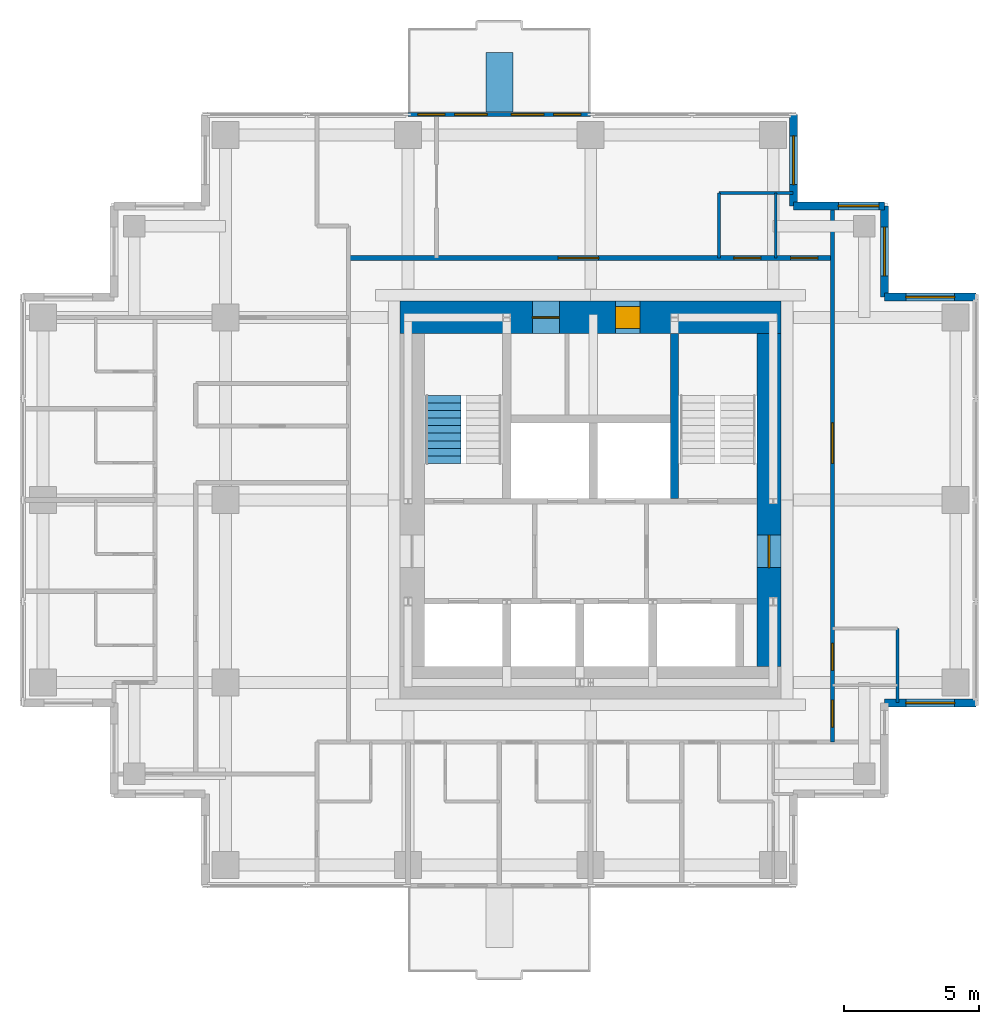
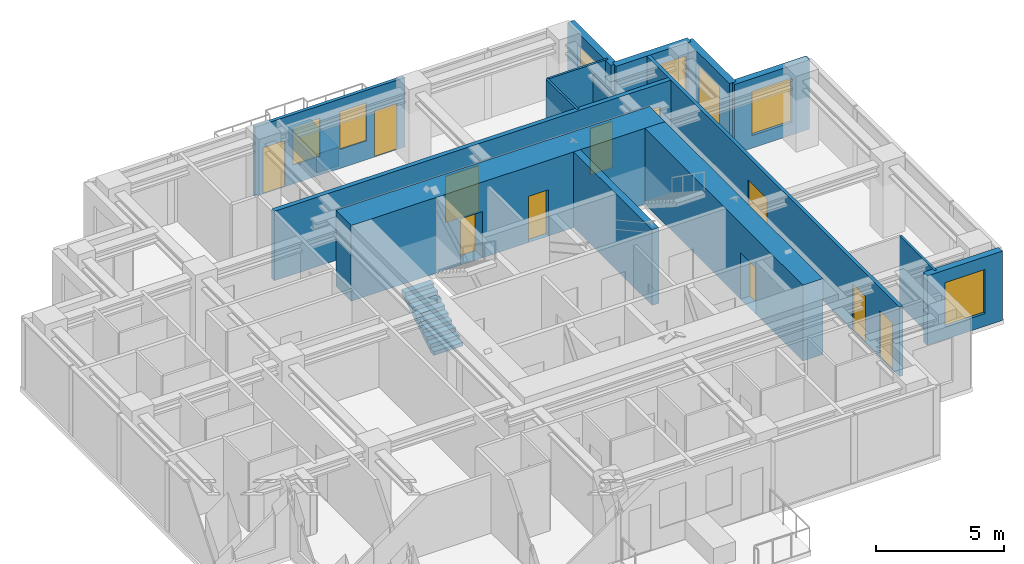
# One storey, part 6 of 8: 16 walls, 11 doors, 7 windows, 1 stair flight, 18 openings, 1 element without a shape of its own.
"""IFC4 building model written with IfcOpenShell, lengths in metres."""

from ifc_helpers import new_model, si_unit, direction, frame, frame_2d, origin, place, context, subcontext, project, spatial, polyline, rectangle, outline, extrude, material, layer, layer_set, type_object, element, fill, aggregate, save


model = new_model("IFC4")

# Units and contexts
model_context = context("Model", 3, precision=1e-05, world=origin(), true_north=direction((0.0, 1.0)))
body_context = subcontext(model_context, "Body", "Model", "MODEL_VIEW")
ifc_project = project(units=[si_unit("LENGTHUNIT", "METRE"), si_unit("AREAUNIT", "SQUARE_METRE"), si_unit("VOLUMEUNIT", "CUBIC_METRE"), si_unit("PLANEANGLEUNIT", "RADIAN"), si_unit("MASSUNIT", "GRAM", prefix="KILO")], contexts=[model_context])

# Site, building, storey
site_placement = place(None, origin())
site = spatial("IfcSite", under=ifc_project, at=site_placement, CompositionType="ELEMENT")
building_placement = place(site_placement, origin())
building = spatial("IfcBuilding", under=site, at=building_placement, Name="Nyansa Garden Tower", CompositionType="ELEMENT")
storey_placement = place(building_placement, frame((0.0, 0.0, 251.10009765625)))
storey = spatial("IfcBuildingStorey", under=building, at=storey_placement, Name="L68", CompositionType="ELEMENT", Elevation=251.10009765625)

# Wall, openings, doors, windows
ifc_material_1 = material(Name="Black aluminium framed glazed screen", Category="aluminium")
ifc_layer_1 = layer(ifc_material_1, 0.14990234375)
ifc_layer_set_1 = layer_set([ifc_layer_1], Name="Balcony screen wall BW150")
wall_type_1 = type_object("IfcWallType", Name="Balcony screen wall BW150", PredefinedType="SOLIDWALL", material=ifc_layer_set_1)
wall_1_placement = place(storey_placement, frame((13.5, 34.5, 0.0), z_axis=(0.0, 0.0, 1.0), x_axis=(1.0, 0.0, 0.0)))
wall_1 = element("IfcWall", 1, at=wall_1_placement, inside=storey, type_object=wall_type_1, Name="Glazed screen wall L68 N", PredefinedType="SOLIDWALL", context=body_context, shape_type="SweptSolid", body=[
    extrude(rectangle(XDim=6.75, YDim=0.14990234375, at=frame_2d((3.375, 0.0))), origin(), (0.0, 0.0, 1.0), 3.2998046875),
])
opening_1_placement = place(wall_1_placement, frame((0.362548828125, 0.0, 0.0)))
opening_1 = element("IfcOpeningElement", 2, at=opening_1_placement, cuts=wall_1, Name="Opening D20", PredefinedType="OPENING", context=body_context, shape_type="SweptSolid", body=[
    extrude(rectangle(XDim=1.0, YDim=2.199951171875, at=frame_2d((0.5, 1.10009765625))), frame((0.0, 0.0849609375, 0.0), z_axis=(0.0, -1.0, 0.0), x_axis=(1.0, 0.0, 0.0)), (0.0, 0.0, 1.0), 0.169921875),
])
opening_2_placement = place(wall_1_placement, frame((1.72509765625, 0.0, 0.89990234375)))
opening_2 = element("IfcOpeningElement", 3, at=opening_2_placement, cuts=wall_1, Name="Opening W6", PredefinedType="OPENING", context=body_context, shape_type="SweptSolid", body=[
    extrude(rectangle(XDim=1.199951171875, YDim=1.800048828125, at=frame_2d((0.60009765625, 0.89990234375))), frame((0.0, 0.0849609375, 0.0), z_axis=(0.0, -1.0, 0.0), x_axis=(1.0, 0.0, 0.0)), (0.0, 0.0, 1.0), 0.169921875),
])
opening_3_placement = place(wall_1_placement, frame((5.387451171875, 0.0, 0.0)))
opening_3 = element("IfcOpeningElement", 4, at=opening_3_placement, cuts=wall_1, Name="Opening D20", PredefinedType="OPENING", context=body_context, shape_type="SweptSolid", body=[
    extrude(rectangle(XDim=1.0, YDim=2.199951171875, at=frame_2d((0.5, 1.10009765625))), frame((0.0, 0.0849609375, 0.0), z_axis=(0.0, -1.0, 0.0), x_axis=(1.0, 0.0, 0.0)), (0.0, 0.0, 1.0), 0.169921875),
])
opening_4_placement = place(wall_1_placement, frame((3.824951171875, 0.0, 0.89990234375)))
opening_4 = element("IfcOpeningElement", 5, at=opening_4_placement, cuts=wall_1, Name="Opening W6", PredefinedType="OPENING", context=body_context, shape_type="SweptSolid", body=[
    extrude(rectangle(XDim=1.199951171875, YDim=1.800048828125, at=frame_2d((0.60009765625, 0.89990234375))), frame((0.0, 0.0849609375, 0.0), z_axis=(0.0, -1.0, 0.0), x_axis=(1.0, 0.0, 0.0)), (0.0, 0.0, 1.0), 0.169921875),
])
ifc_material_2 = material(Name="Black aluminium framed glazed door", Category="aluminium")
door_type_1 = type_object("IfcDoorType", Name="Balcony door D20 1000x2200", OperationType="NOTDEFINED", PredefinedType="DOOR", material=ifc_material_2)
door_1_placement = place(opening_1_placement, origin())
door_1 = element("IfcDoor", 6, at=door_1_placement, inside=storey, type_object=door_type_1, Name="Balcony door L68", OperationType="SINGLE_SWING_LEFT", OverallHeight=2.199951171875, OverallWidth=1.0, PredefinedType="DOOR", context=body_context, shape_type="SweptSolid", body=[
    extrude(rectangle(XDim=1.0, YDim=2.199951171875, at=frame_2d((0.5, 1.10009765625))), frame((0.0, 0.02490234375, 0.0), z_axis=(0.0, -1.0, 0.0), x_axis=(1.0, 0.0, 0.0)), (0.0, 0.0, 1.0), 0.050048828125),
])
fill(opening_1, door_1)
door_2_placement = place(opening_3_placement, origin())
door_2 = element("IfcDoor", 7, at=door_2_placement, inside=storey, type_object=door_type_1, Name="Balcony door L68", OperationType="SINGLE_SWING_RIGHT", OverallHeight=2.199951171875, OverallWidth=1.0, PredefinedType="DOOR", context=body_context, shape_type="SweptSolid", body=[
    extrude(rectangle(XDim=1.0, YDim=2.199951171875, at=frame_2d((0.5, 1.10009765625))), frame((0.0, 0.02490234375, 0.0), z_axis=(0.0, -1.0, 0.0), x_axis=(1.0, 0.0, 0.0)), (0.0, 0.0, 1.0), 0.050048828125),
])
fill(opening_3, door_2)
ifc_material_3 = material(Name="Black aluminium frame, dark tinted double glazing", Category="aluminium")
window_type_1 = type_object("IfcWindowType", Name="Balcony window W6 1200x1800", PartitioningType="SINGLE_PANEL", PredefinedType="WINDOW", material=ifc_material_3)
window_1_placement = place(opening_2_placement, origin())
window_1 = element("IfcWindow", 8, at=window_1_placement, inside=storey, type_object=window_type_1, Name="Window L68", OverallHeight=1.800048828125, OverallWidth=1.199951171875, PartitioningType="SINGLE_PANEL", PredefinedType="WINDOW", context=body_context, shape_type="SweptSolid", body=[
    extrude(rectangle(XDim=1.199951171875, YDim=1.800048828125, at=frame_2d((0.60009765625, 0.89990234375))), frame((0.0, 0.030029296875, 0.0), z_axis=(0.0, -1.0, 0.0), x_axis=(1.0, 0.0, 0.0)), (0.0, 0.0, 1.0), 0.06005859375),
])
fill(opening_2, window_1)
window_2_placement = place(opening_4_placement, origin())
window_2 = element("IfcWindow", 9, at=window_2_placement, inside=storey, type_object=window_type_1, Name="Window L68", OverallHeight=1.800048828125, OverallWidth=1.199951171875, PartitioningType="SINGLE_PANEL", PredefinedType="WINDOW", context=body_context, shape_type="SweptSolid", body=[
    extrude(rectangle(XDim=1.199951171875, YDim=1.800048828125, at=frame_2d((0.60009765625, 0.89990234375))), frame((0.0, 0.030029296875, 0.0), z_axis=(0.0, -1.0, 0.0), x_axis=(1.0, 0.0, 0.0)), (0.0, 0.0, 1.0), 0.06005859375),
])
fill(opening_4, window_2)

# Wall
ifc_material_4 = material(Name="Concrete C70/85", Category="concrete")
ifc_layer_2 = layer(ifc_material_4, 0.300048828125)
ifc_layer_set_2 = layer_set([ifc_layer_2], Name="Core inner wall CI300")
wall_type_2 = type_object("IfcWallType", Name="Core inner wall CI300", PredefinedType="SHEAR", material=ifc_layer_set_2)
wall_2_placement = place(storey_placement, frame((23.35009765625, 20.300048828125, 0.0), z_axis=(0.0, 0.0, 1.0), x_axis=(0.0, 1.0, 0.0)))
element("IfcWall", 10, at=wall_2_placement, inside=storey, type_object=wall_type_2, Name="Core inner wall L68", PredefinedType="SHEAR", context=body_context, shape_type="SweptSolid", body=[
    extrude(rectangle(XDim=6.099853515625, YDim=0.300048828125, at=frame_2d((3.0498046875, 0.0))), origin(), (0.0, 0.0, 1.0), 3.599853515625),
])

# Wall, openings, doors
ifc_material_5 = material(Name="Concrete C80/95", Category="concrete")
ifc_layer_3 = layer(ifc_material_5, 1.199951171875)
ifc_layer_set_3 = layer_set([ifc_layer_3], Name="Core wall CW1200")
wall_type_3 = type_object("IfcWallType", Name="Core wall CW1200", PredefinedType="SHEAR", material=ifc_layer_set_3)
wall_3_placement = place(storey_placement, frame((27.300048828125, 27.0, 0.0), z_axis=(0.0, 0.0, 1.0), x_axis=(-1.0, 0.0, 0.0)))
wall_3 = element("IfcWall", 11, at=wall_3_placement, inside=storey, type_object=wall_type_3, Name="Core wall N L68", PredefinedType="SHEAR", context=body_context, shape_type="SweptSolid", body=[
    extrude(rectangle(XDim=14.10009765625, YDim=1.199951171875, at=frame_2d((7.050048828125, 0.0))), origin(), (0.0, 0.0, 1.0), 3.599853515625),
])
opening_5_placement = place(wall_3_placement, frame((5.22509765625, 0.0, 0.0)))
opening_5 = element("IfcOpeningElement", 12, at=opening_5_placement, cuts=wall_3, Name="Opening D15", PredefinedType="OPENING", context=body_context, shape_type="SweptSolid", body=[
    extrude(rectangle(XDim=0.89990234375, YDim=2.199951171875, at=frame_2d((0.449951171875, 1.10009765625))), frame((0.0, 0.60986328125, 0.0), z_axis=(0.0, -1.0, 0.0), x_axis=(1.0, 0.0, 0.0)), (0.0, 0.0, 1.0), 1.219970703125),
])
opening_6_placement = place(wall_3_placement, frame((8.199951171875, 0.0, 0.0)))
opening_6 = element("IfcOpeningElement", 13, at=opening_6_placement, cuts=wall_3, Name="Opening D07", PredefinedType="OPENING", context=body_context, shape_type="SweptSolid", body=[
    extrude(rectangle(XDim=1.0, YDim=2.199951171875, at=frame_2d((0.5, 1.10009765625))), frame((0.0, 0.60986328125, 0.0), z_axis=(0.0, -1.0, 0.0), x_axis=(1.0, 0.0, 0.0)), (0.0, 0.0, 1.0), 1.219970703125),
])
ifc_material_6 = material(Name="Timber flush door, 60 minute fire resisting, self-closing", Category="wood")
door_type_2 = type_object("IfcDoorType", Name="Core room door D15 900x2200", OperationType="SINGLE_SWING_LEFT", PredefinedType="DOOR", material=ifc_material_6)
door_3_placement = place(opening_5_placement, origin())
door_3 = element("IfcDoor", 14, at=door_3_placement, inside=storey, type_object=door_type_2, Name="Core room door", OperationType="SINGLE_SWING_LEFT", OverallHeight=2.199951171875, OverallWidth=0.89990234375, PredefinedType="DOOR", context=body_context, shape_type="SweptSolid", body=[
    extrude(rectangle(XDim=0.89990234375, YDim=2.199951171875, at=frame_2d((0.449951171875, 1.10009765625))), frame((0.0, 0.39990234375, 0.0), z_axis=(0.0, -1.0, 0.0), x_axis=(1.0, 0.0, 0.0)), (0.0, 0.0, 1.0), 0.800048828125),
])
fill(opening_5, door_3)
ifc_material_7 = material(Name="Steel door, 120 minute fire resisting", Category="steel")
door_type_3 = type_object("IfcDoorType", Name="Riser door D07 1000x2200", OperationType="SINGLE_SWING_LEFT", PredefinedType="DOOR", material=ifc_material_7)
door_4_placement = place(opening_6_placement, origin())
door_4 = element("IfcDoor", 15, at=door_4_placement, inside=storey, type_object=door_type_3, Name="Riser and refuse room door", OperationType="SINGLE_SWING_LEFT", OverallHeight=2.199951171875, OverallWidth=1.0, PredefinedType="DOOR", context=body_context, shape_type="SweptSolid", body=[
    extrude(rectangle(XDim=1.0, YDim=2.199951171875, at=frame_2d((0.5, 1.10009765625))), frame((0.0, 0.02490234375, 0.0), z_axis=(0.0, -1.0, 0.0), x_axis=(1.0, 0.0, 0.0)), (0.0, 0.0, 1.0), 0.050048828125),
])
fill(opening_6, door_4)

# Wall, opening, door
ifc_material_8 = material(Name="Concrete C80/95", Category="concrete")
ifc_layer_4 = layer(ifc_material_8, 0.89990234375)
ifc_layer_set_4 = layer_set([ifc_layer_4], Name="Core wall CW900")
wall_type_4 = type_object("IfcWallType", Name="Core wall CW900", PredefinedType="SHEAR", material=ifc_layer_set_4)
wall_4_placement = place(storey_placement, frame((26.85009765625, 14.10009765625, 0.0), z_axis=(0.0, 0.0, 1.0), x_axis=(0.0, 1.0, 0.0)))
wall_4 = element("IfcWall", 16, at=wall_4_placement, inside=storey, type_object=wall_type_4, Name="Core wall E L68", PredefinedType="SHEAR", context=body_context, shape_type="SweptSolid", body=[
    extrude(rectangle(XDim=12.2998046875, YDim=0.89990234375, at=frame_2d((6.14990234375, 0.0))), origin(), (0.0, 0.0, 1.0), 3.599853515625),
])
opening_7_placement = place(wall_4_placement, frame((3.64990234375, 0.0, 0.0)))
opening_7 = element("IfcOpeningElement", 17, at=opening_7_placement, cuts=wall_4, Name="Opening D06", PredefinedType="OPENING", context=body_context, shape_type="SweptSolid", body=[
    extrude(rectangle(XDim=1.199951171875, YDim=2.199951171875, at=frame_2d((0.60009765625, 1.10009765625))), frame((0.0, 0.4599609375, 0.0), z_axis=(0.0, -1.0, 0.0), x_axis=(1.0, 0.0, 0.0)), (0.0, 0.0, 1.0), 0.919921875),
])
ifc_material_9 = material(Name="Steel door, 120 minute fire resisting", Category="steel")
door_type_4 = type_object("IfcDoorType", Name="Lobby door D06 1200x2200", OperationType="DOUBLE_DOOR_SINGLE_SWING", PredefinedType="DOOR", material=ifc_material_9)
door_5_placement = place(opening_7_placement, origin())
door_5 = element("IfcDoor", 18, at=door_5_placement, inside=storey, type_object=door_type_4, Name="Lift lobby door east", OperationType="DOUBLE_DOOR_SINGLE_SWING", OverallHeight=2.199951171875, OverallWidth=1.199951171875, PredefinedType="DOOR", context=body_context, shape_type="SweptSolid", body=[
    extrude(rectangle(XDim=1.199951171875, YDim=2.199951171875, at=frame_2d((0.60009765625, 1.10009765625))), frame((0.0, 0.02490234375, 0.0), z_axis=(0.0, -1.0, 0.0), x_axis=(1.0, 0.0, 0.0)), (0.0, 0.0, 1.0), 0.050048828125),
])
fill(opening_7, door_5)

# Wall, openings, doors
ifc_material_10 = material(Name="Concrete blockwork, plastered, 60 minute fire resisting", Category="masonry")
ifc_layer_5 = layer(ifc_material_10, 0.199951171875)
ifc_layer_set_5 = layer_set([ifc_layer_5], Name="Corridor wall FW200")
wall_type_5 = type_object("IfcWallType", Name="Corridor wall FW200", PredefinedType="PARTITIONING", material=ifc_layer_set_5)
wall_5_placement = place(storey_placement, frame((11.300048828125, 29.199951171875, 0.0), z_axis=(0.0, 0.0, 1.0), x_axis=(1.0, 0.0, 0.0)))
wall_5 = element("IfcWall", 19, at=wall_5_placement, inside=storey, type_object=wall_type_5, Name="Corridor wall", PredefinedType="PARTITIONING", context=body_context, shape_type="SweptSolid", body=[
    extrude(rectangle(XDim=17.89990234375, YDim=0.199951171875, at=frame_2d((8.949951171875, 0.0))), origin(), (0.0, 0.0, 1.0), 3.2998046875),
])
opening_8_placement = place(wall_5_placement, frame((14.25, 0.0, 0.0)))
opening_8 = element("IfcOpeningElement", 20, at=opening_8_placement, cuts=wall_5, Name="Opening D08", PredefinedType="OPENING", context=body_context, shape_type="SweptSolid", body=[
    extrude(rectangle(XDim=1.0, YDim=2.199951171875, at=frame_2d((0.5, 1.10009765625))), frame((0.0, 0.10986328125, 0.0), z_axis=(0.0, -1.0, 0.0), x_axis=(1.0, 0.0, 0.0)), (0.0, 0.0, 1.0), 0.219970703125),
])
opening_9_placement = place(wall_5_placement, frame((16.35009765625, 0.0, 0.0)))
opening_9 = element("IfcOpeningElement", 21, at=opening_9_placement, cuts=wall_5, Name="Opening D08", PredefinedType="OPENING", context=body_context, shape_type="SweptSolid", body=[
    extrude(rectangle(XDim=1.0, YDim=2.199951171875, at=frame_2d((0.5, 1.10009765625))), frame((0.0, 0.10986328125, 0.0), z_axis=(0.0, -1.0, 0.0), x_axis=(1.0, 0.0, 0.0)), (0.0, 0.0, 1.0), 0.219970703125),
])
opening_10_placement = place(wall_5_placement, frame((7.74853515625, 0.0, 0.0)))
opening_10 = element("IfcOpeningElement", 22, at=opening_10_placement, cuts=wall_5, Name="Opening D10", PredefinedType="OPENING", context=body_context, shape_type="SweptSolid", body=[
    extrude(rectangle(XDim=1.5, YDim=2.199951171875, at=frame_2d((0.75, 1.10009765625))), frame((0.0, 0.10986328125, 0.0), z_axis=(0.0, -1.0, 0.0), x_axis=(1.0, 0.0, 0.0)), (0.0, 0.0, 1.0), 0.219970703125),
])
ifc_material_11 = material(Name="Timber flush door, outward opening", Category="wood")
door_type_5 = type_object("IfcDoorType", Name="Accessible WC door D08 1000x2200", OperationType="SINGLE_SWING_LEFT", PredefinedType="DOOR", material=ifc_material_11)
door_6_placement = place(opening_8_placement, origin())
door_6 = element("IfcDoor", 23, at=door_6_placement, inside=storey, type_object=door_type_5, Name="Door L68-032", OperationType="SINGLE_SWING_LEFT", OverallHeight=2.199951171875, OverallWidth=1.0, PredefinedType="DOOR", context=body_context, shape_type="SweptSolid", body=[
    extrude(rectangle(XDim=1.0, YDim=2.199951171875, at=frame_2d((0.5, 1.10009765625))), frame((0.0, 0.02490234375, 0.0), z_axis=(0.0, -1.0, 0.0), x_axis=(1.0, 0.0, 0.0)), (0.0, 0.0, 1.0), 0.050048828125),
])
fill(opening_8, door_6)
door_7_placement = place(opening_9_placement, origin())
door_7 = element("IfcDoor", 24, at=door_7_placement, inside=storey, type_object=door_type_5, Name="Door L68-033", OperationType="SINGLE_SWING_LEFT", OverallHeight=2.199951171875, OverallWidth=1.0, PredefinedType="DOOR", context=body_context, shape_type="SweptSolid", body=[
    extrude(rectangle(XDim=1.0, YDim=2.199951171875, at=frame_2d((0.5, 1.10009765625))), frame((0.0, 0.02490234375, 0.0), z_axis=(0.0, -1.0, 0.0), x_axis=(1.0, 0.0, 0.0)), (0.0, 0.0, 1.0), 0.050048828125),
])
fill(opening_9, door_7)
ifc_material_12 = material(Name="Timber glazed door, 60 minute fire resisting", Category="wood")
door_type_6 = type_object("IfcDoorType", Name="Lounge door D10 1500x2200", OperationType="DOUBLE_DOOR_SINGLE_SWING", PredefinedType="DOOR", material=ifc_material_12)
door_8_placement = place(opening_10_placement, origin())
door_8 = element("IfcDoor", 25, at=door_8_placement, inside=storey, type_object=door_type_6, Name="Door L68-035", OperationType="DOUBLE_DOOR_SINGLE_SWING", OverallHeight=2.199951171875, OverallWidth=1.5, PredefinedType="DOOR", context=body_context, shape_type="SweptSolid", body=[
    extrude(rectangle(XDim=1.5, YDim=2.199951171875, at=frame_2d((0.75, 1.10009765625))), frame((0.0, 0.02490234375, 0.0), z_axis=(0.0, -1.0, 0.0), x_axis=(1.0, 0.0, 0.0)), (0.0, 0.0, 1.0), 0.050048828125),
])
fill(opening_10, door_8)

ifc_material_13 = material(Name="Blockwork, plastered both sides", Category="masonry")
ifc_layer_6 = layer(ifc_material_13, 0.14990234375)
ifc_layer_set_6 = layer_set([ifc_layer_6], Name="Partition PW150")
wall_type_6 = type_object("IfcWallType", Name="Partition PW150", PredefinedType="PARTITIONING", material=ifc_layer_set_6)
wall_6_placement = place(storey_placement, frame((29.199951171875, 11.300048828125, 0.0), z_axis=(0.0, 0.0, 1.0), x_axis=(0.0, 1.0, 0.0)))
wall_6 = element("IfcWall", 26, at=wall_6_placement, inside=storey, type_object=wall_type_6, Name="Partition", PredefinedType="PARTITIONING", context=body_context, shape_type="SweptSolid", body=[
    extrude(rectangle(XDim=19.808837890625, YDim=0.14990234375, at=frame_2d((9.904296875, 0.0))), origin(), (0.0, 0.0, 1.0), 3.2998046875),
])
opening_11_placement = place(wall_6_placement, frame((0.550048828125, 0.0, 0.0)))
opening_11 = element("IfcOpeningElement", 27, at=opening_11_placement, cuts=wall_6, Name="Opening D08", PredefinedType="OPENING", context=body_context, shape_type="SweptSolid", body=[
    extrude(rectangle(XDim=1.0, YDim=2.199951171875, at=frame_2d((0.5, 1.10009765625))), frame((0.0, 0.0849609375, 0.0), z_axis=(0.0, -1.0, 0.0), x_axis=(1.0, 0.0, 0.0)), (0.0, 0.0, 1.0), 0.169921875),
])
opening_12_placement = place(wall_6_placement, frame((2.64990234375, 0.0, 0.0)))
opening_12 = element("IfcOpeningElement", 28, at=opening_12_placement, cuts=wall_6, Name="Opening D08", PredefinedType="OPENING", context=body_context, shape_type="SweptSolid", body=[
    extrude(rectangle(XDim=1.0, YDim=2.199951171875, at=frame_2d((0.5, 1.10009765625))), frame((0.0, 0.0849609375, 0.0), z_axis=(0.0, -1.0, 0.0), x_axis=(1.0, 0.0, 0.0)), (0.0, 0.0, 1.0), 0.169921875),
])
opening_13_placement = place(wall_6_placement, frame((10.300048828125, 0.0, 0.0)))
opening_13 = element("IfcOpeningElement", 29, at=opening_13_placement, cuts=wall_6, Name="Opening D10", PredefinedType="OPENING", context=body_context, shape_type="SweptSolid", body=[
    extrude(rectangle(XDim=1.5, YDim=2.199951171875, at=frame_2d((0.75, 1.10009765625))), frame((0.0, 0.0849609375, 0.0), z_axis=(0.0, -1.0, 0.0), x_axis=(1.0, 0.0, 0.0)), (0.0, 0.0, 1.0), 0.169921875),
])
door_9_placement = place(opening_11_placement, origin())
door_9 = element("IfcDoor", 30, at=door_9_placement, inside=storey, type_object=door_type_5, Name="Door L68-029", OperationType="SINGLE_SWING_LEFT", OverallHeight=2.199951171875, OverallWidth=1.0, PredefinedType="DOOR", context=body_context, shape_type="SweptSolid", body=[
    extrude(rectangle(XDim=1.0, YDim=2.199951171875, at=frame_2d((0.5, 1.10009765625))), frame((0.0, 0.02490234375, 0.0), z_axis=(0.0, -1.0, 0.0), x_axis=(1.0, 0.0, 0.0)), (0.0, 0.0, 1.0), 0.050048828125),
])
fill(opening_11, door_9)
door_10_placement = place(opening_12_placement, origin())
door_10 = element("IfcDoor", 31, at=door_10_placement, inside=storey, type_object=door_type_5, Name="Door L68-030", OperationType="SINGLE_SWING_LEFT", OverallHeight=2.199951171875, OverallWidth=1.0, PredefinedType="DOOR", context=body_context, shape_type="SweptSolid", body=[
    extrude(rectangle(XDim=1.0, YDim=2.199951171875, at=frame_2d((0.5, 1.10009765625))), frame((0.0, 0.02490234375, 0.0), z_axis=(0.0, -1.0, 0.0), x_axis=(1.0, 0.0, 0.0)), (0.0, 0.0, 1.0), 0.050048828125),
])
fill(opening_12, door_10)
door_11_placement = place(opening_13_placement, origin())
door_11 = element("IfcDoor", 32, at=door_11_placement, inside=storey, type_object=door_type_6, Name="Door L68-031", OperationType="DOUBLE_DOOR_SINGLE_SWING", OverallHeight=2.199951171875, OverallWidth=1.5, PredefinedType="DOOR", context=body_context, shape_type="SweptSolid", body=[
    extrude(rectangle(XDim=1.5, YDim=2.199951171875, at=frame_2d((0.75, 1.10009765625))), frame((0.0, 0.02490234375, 0.0), z_axis=(0.0, -1.0, 0.0), x_axis=(1.0, 0.0, 0.0)), (0.0, 0.0, 1.0), 0.050048828125),
])
fill(opening_13, door_11)

# Wall, opening, window
ifc_material_14 = material(Name="Turquoise glazed tile on concrete blockwork", Category="masonry")
ifc_layer_7 = layer(ifc_material_14, 0.300048828125)
ifc_layer_set_7 = layer_set([ifc_layer_7], Name="Tiled corner wall TW300")
wall_type_7 = type_object("IfcWallType", Name="Tiled corner wall TW300", PredefinedType="SOLIDWALL", material=ifc_layer_set_7)
wall_7_placement = place(storey_placement, frame((34.5, 27.75, 0.0), z_axis=(0.0, 0.0, 1.0), x_axis=(-1.0, 0.0, 0.0)))
wall_7 = element("IfcWall", 33, at=wall_7_placement, inside=storey, type_object=wall_type_7, Name="Tiled corner wall L68", PredefinedType="SOLIDWALL", context=body_context, shape_type="SweptSolid", body=[
    extrude(rectangle(XDim=3.375, YDim=0.300048828125, at=frame_2d((1.6875, 0.0))), origin(), (0.0, 0.0, 1.0), 3.2998046875),
])
opening_14_placement = place(wall_7_placement, frame((0.78759765625, 0.0, 0.60009765625)))
opening_14 = element("IfcOpeningElement", 34, at=opening_14_placement, cuts=wall_7, Name="Opening W2", PredefinedType="OPENING", context=body_context, shape_type="SweptSolid", body=[
    extrude(rectangle(XDim=1.800048828125, YDim=2.10009765625, at=frame_2d((0.89990234375, 1.050048828125))), frame((0.0, 0.159912109375, 0.0), z_axis=(0.0, -1.0, 0.0), x_axis=(1.0, 0.0, 0.0)), (0.0, 0.0, 1.0), 0.320068359375),
])
ifc_material_15 = material(Name="Black aluminium frame, dark tinted double glazing", Category="aluminium")
window_type_2 = type_object("IfcWindowType", Name="Window W2 1800x2100", PartitioningType="SINGLE_PANEL", PredefinedType="WINDOW", material=ifc_material_15)
window_3_placement = place(opening_14_placement, origin())
window_3 = element("IfcWindow", 35, at=window_3_placement, inside=storey, type_object=window_type_2, Name="Corner window L68", OverallHeight=2.10009765625, OverallWidth=1.800048828125, PartitioningType="SINGLE_PANEL", PredefinedType="WINDOW", context=body_context, shape_type="SweptSolid", body=[
    extrude(rectangle(XDim=1.800048828125, YDim=2.10009765625, at=frame_2d((0.89990234375, 1.050048828125))), frame((0.0, 0.030029296875, 0.0), z_axis=(0.0, -1.0, 0.0), x_axis=(1.0, 0.0, 0.0)), (0.0, 0.0, 1.0), 0.06005859375),
])
fill(opening_14, window_3)

wall_8_placement = place(storey_placement, frame((31.125, 27.75, 0.0), z_axis=(0.0, 0.0, 1.0), x_axis=(0.0, 1.0, 0.0)))
wall_8 = element("IfcWall", 36, at=wall_8_placement, inside=storey, type_object=wall_type_7, Name="Tiled corner wall L68", PredefinedType="SOLIDWALL", context=body_context, shape_type="SweptSolid", body=[
    extrude(rectangle(XDim=3.375, YDim=0.300048828125, at=frame_2d((1.6875, 0.0))), origin(), (0.0, 0.0, 1.0), 3.2998046875),
])
opening_15_placement = place(wall_8_placement, frame((0.78759765625, 0.0, 0.60009765625)))
opening_15 = element("IfcOpeningElement", 37, at=opening_15_placement, cuts=wall_8, Name="Opening W2", PredefinedType="OPENING", context=body_context, shape_type="SweptSolid", body=[
    extrude(rectangle(XDim=1.800048828125, YDim=2.10009765625, at=frame_2d((0.89990234375, 1.050048828125))), frame((0.0, 0.159912109375, 0.0), z_axis=(0.0, -1.0, 0.0), x_axis=(1.0, 0.0, 0.0)), (0.0, 0.0, 1.0), 0.320068359375),
])
window_4_placement = place(opening_15_placement, origin())
window_4 = element("IfcWindow", 38, at=window_4_placement, inside=storey, type_object=window_type_2, Name="Corner window L68", OverallHeight=2.10009765625, OverallWidth=1.800048828125, PartitioningType="SINGLE_PANEL", PredefinedType="WINDOW", context=body_context, shape_type="SweptSolid", body=[
    extrude(rectangle(XDim=1.800048828125, YDim=2.10009765625, at=frame_2d((0.89990234375, 1.050048828125))), frame((0.0, 0.030029296875, 0.0), z_axis=(0.0, -1.0, 0.0), x_axis=(1.0, 0.0, 0.0)), (0.0, 0.0, 1.0), 0.06005859375),
])
fill(opening_15, window_4)

wall_9_placement = place(storey_placement, frame((31.125, 31.125, 0.0), z_axis=(0.0, 0.0, 1.0), x_axis=(-1.0, 0.0, 0.0)))
wall_9 = element("IfcWall", 39, at=wall_9_placement, inside=storey, type_object=wall_type_7, Name="Tiled corner wall L68", PredefinedType="SOLIDWALL", context=body_context, shape_type="SweptSolid", body=[
    extrude(rectangle(XDim=3.375, YDim=0.300048828125, at=frame_2d((1.6875, 0.0))), origin(), (0.0, 0.0, 1.0), 3.2998046875),
])
opening_16_placement = place(wall_9_placement, frame((0.21240234375, 0.0, 0.89990234375)))
opening_16 = element("IfcOpeningElement", 40, at=opening_16_placement, cuts=wall_9, Name="Opening W1", PredefinedType="OPENING", context=body_context, shape_type="SweptSolid", body=[
    extrude(rectangle(XDim=1.5, YDim=1.800048828125, at=frame_2d((0.75, 0.89990234375))), frame((0.0, 0.159912109375, 0.0), z_axis=(0.0, -1.0, 0.0), x_axis=(1.0, 0.0, 0.0)), (0.0, 0.0, 1.0), 0.320068359375),
])
ifc_material_16 = material(Name="Black aluminium frame, dark tinted double glazing", Category="aluminium")
window_type_3 = type_object("IfcWindowType", Name="Window W1 1500x1800", PartitioningType="SINGLE_PANEL", PredefinedType="WINDOW", material=ifc_material_16)
window_5_placement = place(opening_16_placement, origin())
window_5 = element("IfcWindow", 41, at=window_5_placement, inside=storey, type_object=window_type_3, Name="Corner window L68", OverallHeight=1.800048828125, OverallWidth=1.5, PartitioningType="SINGLE_PANEL", PredefinedType="WINDOW", context=body_context, shape_type="SweptSolid", body=[
    extrude(rectangle(XDim=1.5, YDim=1.800048828125, at=frame_2d((0.75, 0.89990234375))), frame((0.0, 0.030029296875, 0.0), z_axis=(0.0, -1.0, 0.0), x_axis=(1.0, 0.0, 0.0)), (0.0, 0.0, 1.0), 0.06005859375),
])
fill(opening_16, window_5)

wall_10_placement = place(storey_placement, frame((27.75, 31.125, 0.0), z_axis=(0.0, 0.0, 1.0), x_axis=(0.0, 1.0, 0.0)))
wall_10 = element("IfcWall", 42, at=wall_10_placement, inside=storey, type_object=wall_type_7, Name="Tiled corner wall L68", PredefinedType="SOLIDWALL", context=body_context, shape_type="SweptSolid", body=[
    extrude(rectangle(XDim=3.375, YDim=0.300048828125, at=frame_2d((1.6875, 0.0))), origin(), (0.0, 0.0, 1.0), 3.2998046875),
])
opening_17_placement = place(wall_10_placement, frame((0.78759765625, 0.0, 0.60009765625)))
opening_17 = element("IfcOpeningElement", 43, at=opening_17_placement, cuts=wall_10, Name="Opening W2", PredefinedType="OPENING", context=body_context, shape_type="SweptSolid", body=[
    extrude(rectangle(XDim=1.800048828125, YDim=2.10009765625, at=frame_2d((0.89990234375, 1.050048828125))), frame((0.0, 0.159912109375, 0.0), z_axis=(0.0, -1.0, 0.0), x_axis=(1.0, 0.0, 0.0)), (0.0, 0.0, 1.0), 0.320068359375),
])
window_6_placement = place(opening_17_placement, origin())
window_6 = element("IfcWindow", 44, at=window_6_placement, inside=storey, type_object=window_type_2, Name="Corner window L68", OverallHeight=2.10009765625, OverallWidth=1.800048828125, PartitioningType="SINGLE_PANEL", PredefinedType="WINDOW", context=body_context, shape_type="SweptSolid", body=[
    extrude(rectangle(XDim=1.800048828125, YDim=2.10009765625, at=frame_2d((0.89990234375, 1.050048828125))), frame((0.0, 0.030029296875, 0.0), z_axis=(0.0, -1.0, 0.0), x_axis=(1.0, 0.0, 0.0)), (0.0, 0.0, 1.0), 0.06005859375),
])
fill(opening_17, window_6)

wall_11_placement = place(storey_placement, frame((31.125, 12.75, 0.0), z_axis=(0.0, 0.0, 1.0), x_axis=(1.0, 0.0, 0.0)))
wall_11 = element("IfcWall", 45, at=wall_11_placement, inside=storey, type_object=wall_type_7, Name="Tiled corner wall L68", PredefinedType="SOLIDWALL", context=body_context, shape_type="SweptSolid", body=[
    extrude(rectangle(XDim=3.375, YDim=0.300048828125, at=frame_2d((1.6875, 0.0))), origin(), (0.0, 0.0, 1.0), 3.2998046875),
])
opening_18_placement = place(wall_11_placement, frame((0.78759765625, 0.0, 0.60009765625)))
opening_18 = element("IfcOpeningElement", 46, at=opening_18_placement, cuts=wall_11, Name="Opening W2", PredefinedType="OPENING", context=body_context, shape_type="SweptSolid", body=[
    extrude(rectangle(XDim=1.800048828125, YDim=2.10009765625, at=frame_2d((0.89990234375, 1.050048828125))), frame((0.0, 0.159912109375, 0.0), z_axis=(0.0, -1.0, 0.0), x_axis=(1.0, 0.0, 0.0)), (0.0, 0.0, 1.0), 0.320068359375),
])
window_7_placement = place(opening_18_placement, origin())
window_7 = element("IfcWindow", 47, at=window_7_placement, inside=storey, type_object=window_type_2, Name="Corner window L68", OverallHeight=2.10009765625, OverallWidth=1.800048828125, PartitioningType="SINGLE_PANEL", PredefinedType="WINDOW", context=body_context, shape_type="SweptSolid", body=[
    extrude(rectangle(XDim=1.800048828125, YDim=2.10009765625, at=frame_2d((0.89990234375, 1.050048828125))), frame((0.0, 0.030029296875, 0.0), z_axis=(0.0, -1.0, 0.0), x_axis=(1.0, 0.0, 0.0)), (0.0, 0.0, 1.0), 0.06005859375),
])
fill(opening_18, window_7)

# Walls
ifc_material_17 = material(Name="Concrete C40/50 planter, waterproofed", Category="concrete")
ifc_layer_8 = layer(ifc_material_17, 1.0)
ifc_layer_set_8 = layer_set([ifc_layer_8], Name="Tree planter TP1")
wall_type_8 = type_object("IfcWallType", Name="Tree planter TP1", PredefinedType="USERDEFINED", material=ifc_layer_set_8)
wall_12_placement = place(storey_placement, frame((16.875, 34.60009765625, 0.0), z_axis=(0.0, 0.0, 1.0), x_axis=(0.0, 1.0, 0.0)))
element("IfcWall", 48, at=wall_12_placement, inside=storey, type_object=wall_type_8, Name="Tree planter L68", ObjectType="TREE PLANTER", PredefinedType="USERDEFINED", context=body_context, shape_type="SweptSolid", body=[
    extrude(rectangle(XDim=2.199951171875, YDim=1.0, at=frame_2d((1.10009765625, 0.0))), origin(), (0.0, 0.0, 1.0), 0.89990234375),
])
ifc_material_18 = material(Name="Moisture resistant board on steel studs, tiled", Category="steel")
ifc_layer_9 = layer(ifc_material_18, 0.10009765625)
ifc_layer_set_9 = layer_set([ifc_layer_9], Name="Wet wall PW100")
wall_type_9 = type_object("IfcWallType", Name="Wet wall PW100", PredefinedType="PARTITIONING", material=ifc_layer_set_9)
wall_13_placement = place(storey_placement, frame((25.0, 29.199951171875, 0.0), z_axis=(0.0, 0.0, 1.0), x_axis=(0.0, 1.0, 0.0)))
element("IfcWall", 49, at=wall_13_placement, inside=storey, type_object=wall_type_9, Name="Wet wall", PredefinedType="PARTITIONING", context=body_context, shape_type="SweptSolid", body=[
    extrude(rectangle(XDim=2.400146484375, YDim=0.10009765625, at=frame_2d((1.2001953125, 0.0))), origin(), (0.0, 0.0, 1.0), 3.2998046875),
])
wall_14_placement = place(storey_placement, frame((25.0, 31.60009765625, 0.0), z_axis=(0.0, 0.0, 1.0), x_axis=(1.0, 0.0, 0.0)))
element("IfcWall", 50, at=wall_14_placement, inside=storey, type_object=wall_type_9, Name="Wet wall", PredefinedType="PARTITIONING", context=body_context, shape_type="SweptSolid", body=[
    extrude(rectangle(XDim=2.73388671875, YDim=0.10009765625, at=frame_2d((1.366943359375, 0.0))), origin(), (0.0, 0.0, 1.0), 3.2998046875),
])
wall_15_placement = place(storey_placement, frame((27.10009765625, 29.199951171875, 0.0), z_axis=(0.0, 0.0, 1.0), x_axis=(0.0, 1.0, 0.0)))
element("IfcWall", 51, at=wall_15_placement, inside=storey, type_object=wall_type_9, Name="Wet wall", PredefinedType="PARTITIONING", context=body_context, shape_type="SweptSolid", body=[
    extrude(rectangle(XDim=2.400146484375, YDim=0.10009765625, at=frame_2d((1.2001953125, 0.0))), origin(), (0.0, 0.0, 1.0), 2.802001953125),
])
wall_16_placement = place(storey_placement, frame((31.60009765625, 12.76611328125, 0.0), z_axis=(0.0, 0.0, 1.0), x_axis=(0.0, 1.0, 0.0)))
element("IfcWall", 52, at=wall_16_placement, inside=storey, type_object=wall_type_9, Name="Wet wall", PredefinedType="PARTITIONING", context=body_context, shape_type="SweptSolid", body=[
    extrude(rectangle(XDim=2.73388671875, YDim=0.10009765625, at=frame_2d((1.366943359375, 0.0))), origin(), (0.0, 0.0, 1.0), 3.2998046875),
])

# Stair, stair flight
ifc_material_19 = material(Name="Precast concrete C40/50", Category="concrete")
stair_type = type_object("IfcStairType", Name="Stair S1 180x280", PredefinedType="HALF_TURN_STAIR", material=ifc_material_19)
stair_placement = place(storey_placement, origin())
stair = element("IfcStair", 53, at=stair_placement, inside=storey, type_object=stair_type, Name="Stair S1 L68", PredefinedType="HALF_TURN_STAIR")
ifc_material_20 = material(Name="Precast concrete C40/50", Category="concrete")
stair_flight_type = type_object("IfcStairFlightType", Name="Stair flight S1 180x280x10", PredefinedType="STRAIGHT", material=ifc_material_20)
stair_flight_placement = place(storey_placement, frame((14.800048828125, 21.60009765625, 0.0), z_axis=(0.0, 0.0, 1.0), x_axis=(0.0, 1.0, 0.0)))
stair_flight = element("IfcStairFlight", 54, at=stair_flight_placement, type_object=stair_flight_type, Name="S1 flight 1", NumberOfRisers=10, NumberOfTreads=9, PredefinedType="STRAIGHT", RiserHeight=0.18, TreadLength=0.28, context=body_context, shape_type="SweptSolid", body=[
    extrude(outline(polyline([(0.0, 0.0), (0.0, 0.179931640625), (0.280029296875, 0.179931640625), (0.280029296875, 0.360107421875), (0.56005859375, 0.360107421875), (0.56005859375, 0.5400390625), (0.840087890625, 0.5400390625), (0.840087890625, 0.719970703125), (1.1201171875, 0.719970703125), (1.1201171875, 0.89990234375), (1.39990234375, 0.89990234375), (1.39990234375, 1.080078125), (1.679931640625, 1.080078125), (1.679931640625, 1.260009765625), (1.9599609375, 1.260009765625), (1.9599609375, 1.43994140625), (2.239990234375, 1.43994140625), (2.239990234375, 1.6201171875), (2.52001953125, 1.6201171875), (2.52001953125, 1.800048828125), (2.52001953125, 1.44189453125), (0.277099609375, 0.0), (0.0, 0.0)])), frame((0.0, 0.64990234375, 0.0), z_axis=(0.0, -1.0, 0.0), x_axis=(1.0, 0.0, 0.0)), (0.0, 0.0, 1.0), 1.300048828125),
])
aggregate(stair, [stair_flight])

save(model, "model.ifc")
